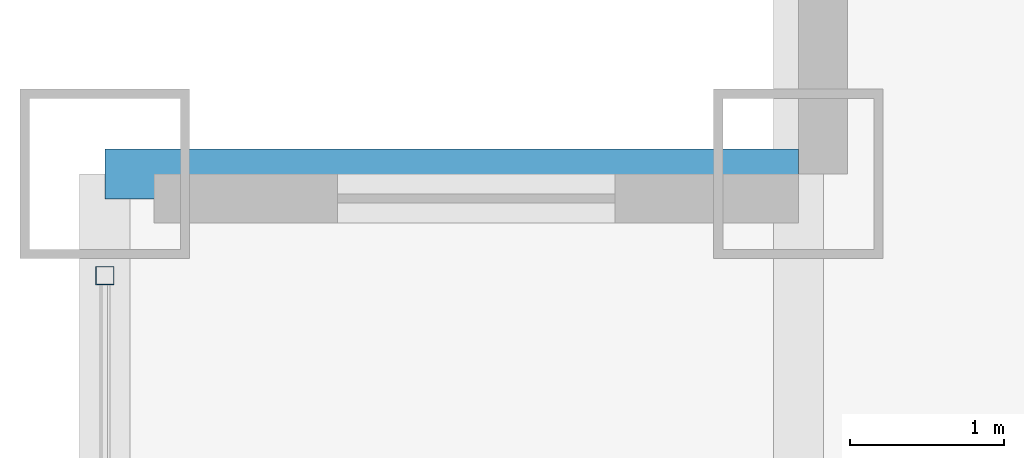
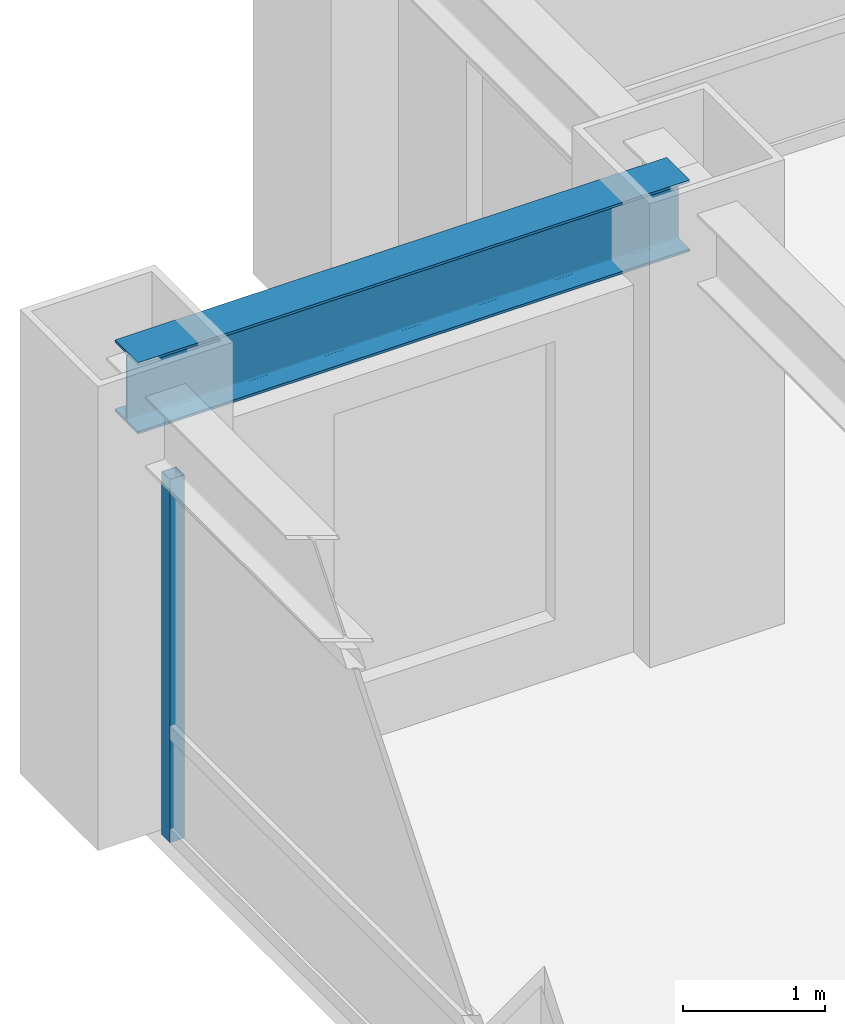
# One storey, part 12 of 24: 1 beam, 1 member, 1 element without a shape of its own.
"""IFC4 building model written with IfcOpenShell, lengths in metres."""

from ifc_helpers import new_model, si_unit, direction, frame, origin, origin_2d, place, context, subcontext, project, spatial, hollow_rectangle, i_section, extrude, source, transform, mapped, material, material_profile, profile_set, type_object, element, aggregate, save


model = new_model("IFC4")

# Units and contexts
model_context = context("Model", 3, precision=1e-05, world=origin(), true_north=direction((0.0, 1.0)))
body_context = subcontext(model_context, "Body", "Model", "MODEL_VIEW")
ifc_project = project(units=[si_unit("LENGTHUNIT", "METRE"), si_unit("AREAUNIT", "SQUARE_METRE"), si_unit("VOLUMEUNIT", "CUBIC_METRE"), si_unit("PLANEANGLEUNIT", "RADIAN"), si_unit("MASSUNIT", "GRAM", prefix="KILO")], contexts=[model_context])

# Site, building, storey
site_placement = place(None, origin())
site = spatial("IfcSite", under=ifc_project, at=site_placement, CompositionType="ELEMENT")
building_placement = place(site_placement, origin())
building = spatial("IfcBuilding", under=site, at=building_placement, Name="Khorayat Bourse Tower", CompositionType="ELEMENT")
storey_placement = place(building_placement, frame((0.0, 0.0, 163.10009765625)))
storey = spatial("IfcBuildingStorey", under=building, at=storey_placement, Name="L37", CompositionType="ELEMENT", Elevation=163.10009765625)

# Beam
ifc_material_1 = material(Name="Steel ASTM A992 Grade 50", Category="steel")
ifc_material_profile_1 = material_profile(ifc_material_1, i_section(OverallWidth=0.324951171875, OverallDepth=0.615966796875, WebThickness=0.013916015625, FlangeThickness=0.021484375, FilletRadius=0.01611328125, at=origin_2d()), Name="W610X174")
ifc_profile_set_1 = profile_set([ifc_material_profile_1], Name="Steel ASTM A992 Grade 50")
beam_type = type_object("IfcBeamType", Name="BM-SPAN-610", PredefinedType="SPANDREL", material=ifc_profile_set_1)
shared_shape_1 = source(origin(), body_context, "Body", "SweptSolid", [
    extrude(i_section(OverallWidth=0.324951171875, OverallDepth=0.615966796875, WebThickness=0.013916015625, FlangeThickness=0.021484375, FilletRadius=0.01611328125, at=origin_2d()), origin(), (0.0, 0.0, 1.0), 4.5),
])
beam_placement = place(storey_placement, frame((-30.0, 25.5, 3.471923828125), z_axis=(1.0, 0.0, 0.0), x_axis=(0.0, 1.0, 0.0)))
element("IfcBeam", 1, at=beam_placement, inside=storey, type_object=beam_type, Name="L37 BM-SPAN-610 BM-L37-SPN-053", PredefinedType="SPANDREL", context=body_context, shape_type="MappedRepresentation", body=[
    mapped(shared_shape_1, transform((0.0, 0.0, 0.0), scale=1.0)),
])

# Curtain wall, member
ifc_material_2 = material(Name="Aluminium EN AW-6063 T6", Category="aluminium")
curtain_wall_type = type_object("IfcCurtainWallType", Name="CW-SYS-03", PredefinedType="NOTDEFINED", material=ifc_material_2)
curtain_wall_placement = place(storey_placement, origin())
curtain_wall = element("IfcCurtainWall", 2, at=curtain_wall_placement, inside=storey, type_object=curtain_wall_type, Name="L37 Curtain Wall CW-L37-W1", PredefinedType="NOTDEFINED")
ifc_material_profile_2 = material_profile(ifc_material_2, hollow_rectangle(XDim=0.1201171875, YDim=0.1201171875, WallThickness=0.0048828125, at=origin_2d()), Name="ALU 120x120x5")
ifc_profile_set_2 = profile_set([ifc_material_profile_2], Name="Aluminium EN AW-6063 T6")
member_type = type_object("IfcMemberType", Name="CWM-VERT-120", PredefinedType="MULLION", material=ifc_profile_set_2)
shared_shape_2 = source(origin(), body_context, "Body", "SweptSolid", [
    extrude(hollow_rectangle(XDim=0.1201171875, YDim=0.1201171875, WallThickness=0.0048828125, at=origin_2d()), origin(), (0.0, 0.0, 1.0), 3.1298828125),
])
member_placement = place(storey_placement, frame((-30.0, 24.840087890625, 0.0), z_axis=(0.0, 0.0, 1.0), x_axis=(-1.0, 0.0, 0.0)))
member = element("IfcMember", 3, at=member_placement, type_object=member_type, Name="CW-L37-W1 Vertical Mullion 3", PredefinedType="MULLION", context=body_context, shape_type="MappedRepresentation", body=[
    mapped(shared_shape_2, transform((0.0, 0.0, 0.0), scale=1.0)),
])
aggregate(curtain_wall, [member])

save(model, "model.ifc")
